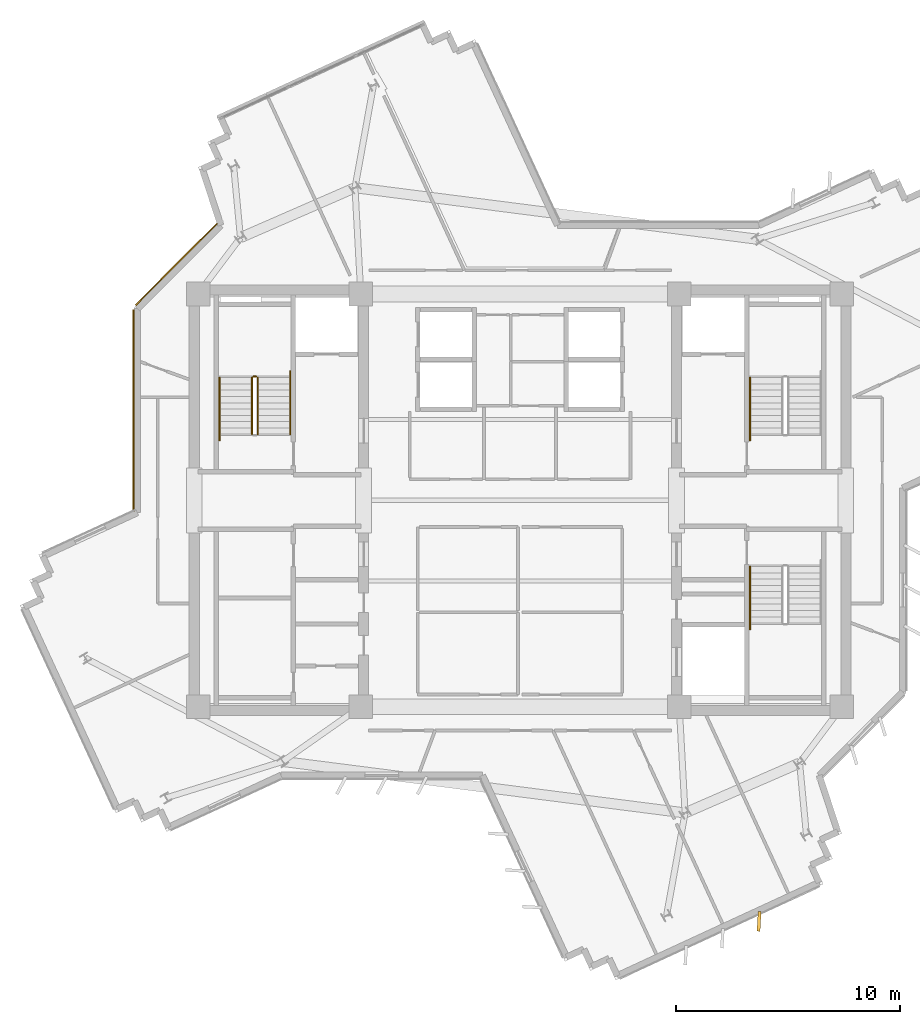
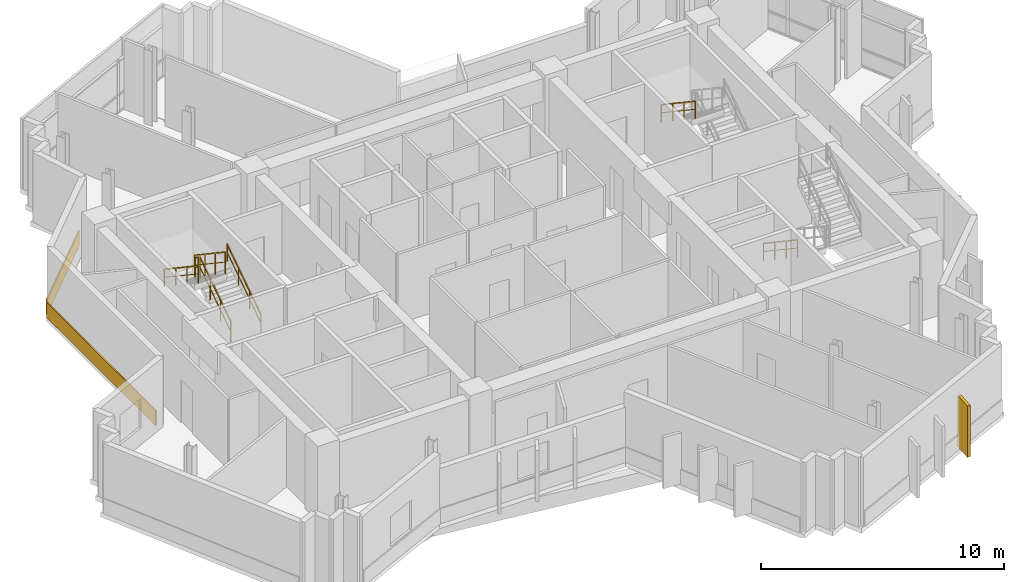
# One storey, part 11 of 12: 7 railings, 3 coverings.
"""IFC4 building model written with IfcOpenShell, lengths in metres."""

from ifc_helpers import new_model, si_unit, direction, frame, origin, origin_2d, place, context, subcontext, project, spatial, rectangle, extrude, source, transform, mapped, material, layer, layer_set, type_object, element, save


model = new_model("IFC4")

# Units and contexts
model_context = context("Model", 3, precision=1e-05, world=origin(), true_north=direction((0.0, 1.0)))
body_context = subcontext(model_context, "Body", "Model", "MODEL_VIEW")
ifc_project = project(units=[si_unit("LENGTHUNIT", "METRE"), si_unit("AREAUNIT", "SQUARE_METRE"), si_unit("VOLUMEUNIT", "CUBIC_METRE"), si_unit("PLANEANGLEUNIT", "RADIAN"), si_unit("MASSUNIT", "GRAM", prefix="KILO")], contexts=[model_context])

# Site, building, storey
site_placement = place(None, origin())
site = spatial("IfcSite", under=ifc_project, at=site_placement, CompositionType="ELEMENT")
building_placement = place(site_placement, origin())
building = spatial("IfcBuilding", under=site, at=building_placement, Name="Zahravan Cultural Tower", CompositionType="ELEMENT")
storey_placement = place(building_placement, frame((0.0, 0.0, 242.85009765625)))
storey = spatial("IfcBuildingStorey", under=building, at=storey_placement, Name="L57", CompositionType="ELEMENT", Elevation=242.85009765625)

# Railings
ifc_material_1 = material(Name="Steel ASTM A572 Grade 50", Category="steel")
railing_type_1 = type_object("IfcRailingType", Name="RL-STAIR-GRD1150", PredefinedType="BALUSTRADE", material=ifc_material_1)
railing_1_placement = place(storey_placement, frame((24.300048828125, 29.949951171875, 0.1875)))
element("IfcRailing", 1, at=railing_1_placement, inside=storey, type_object=railing_type_1, Name="L57 ST-W1 stair guard 1", PredefinedType="BALUSTRADE", context=body_context, shape_type="SweptSolid", body=[
    extrude(rectangle(XDim=0.05, YDim=0.05, at=origin_2d()), frame((0.0, 0.0, 1.0751953125), z_axis=(0.0, 0.830909170722, 0.55640807867), x_axis=(-1.0, 0.0, 0.0)), (0.0, 0.0, 1.0), 3.032958984375),
    extrude(rectangle(XDim=0.032, YDim=0.032, at=origin_2d()), frame((0.0, 0.0, 0.572021484375), z_axis=(0.0, 0.830909170722, 0.55640807867), x_axis=(-1.0, 0.0, 0.0)), (0.0, 0.0, 1.0), 3.032958984375),
    extrude(rectangle(XDim=0.04, YDim=0.04, at=origin_2d()), origin(), (0.0, 0.0, 1.0), 1.10009765625),
    extrude(rectangle(XDim=0.04, YDim=0.04, at=origin_2d()), frame((0.0, 0.840087890625, 0.5625)), (0.0, 0.0, 1.0), 1.10009765625),
    extrude(rectangle(XDim=0.04, YDim=0.04, at=origin_2d()), frame((0.0, 1.679931640625, 1.125)), (0.0, 0.0, 1.0), 1.10009765625),
    extrude(rectangle(XDim=0.04, YDim=0.04, at=origin_2d()), frame((0.0, 2.52001953125, 1.6875)), (0.0, 0.0, 1.0), 1.10009765625),
])
railing_2_placement = place(storey_placement, frame((24.25, 32.52001953125, 1.875)))
element("IfcRailing", 2, at=railing_2_placement, inside=storey, type_object=railing_type_1, Name="L57 ST-W1 stair guard 2", PredefinedType="BALUSTRADE", context=body_context, shape_type="SweptSolid", body=[
    extrude(rectangle(XDim=0.05, YDim=0.05, at=origin_2d()), frame((0.0, 0.0, 1.0751953125), z_axis=(-1.0, 0.0, 0.0), x_axis=(0.0, -1.0, 0.0)), (0.0, 0.0, 1.0), 0.14990234375),
    extrude(rectangle(XDim=0.032, YDim=0.032, at=origin_2d()), frame((0.0, 0.0, 0.572021484375), z_axis=(-1.0, 0.0, 0.0), x_axis=(0.0, -1.0, 0.0)), (0.0, 0.0, 1.0), 0.14990234375),
    extrude(rectangle(XDim=0.04, YDim=0.04, at=origin_2d()), origin(), (0.0, 0.0, 1.0), 1.10009765625),
    extrude(rectangle(XDim=0.04, YDim=0.04, at=origin_2d()), frame((-0.14990234375, 0.0, 0.0)), (0.0, 0.0, 1.0), 1.10009765625),
])
railing_3_placement = place(storey_placement, frame((24.050048828125, 32.469970703125, 2.0625)))
element("IfcRailing", 3, at=railing_3_placement, inside=storey, type_object=railing_type_1, Name="L57 ST-W1 stair guard 3", PredefinedType="BALUSTRADE", context=body_context, shape_type="SweptSolid", body=[
    extrude(rectangle(XDim=0.05, YDim=0.05, at=origin_2d()), frame((0.0, 0.0, 1.0751953125), z_axis=(0.0, -0.830909170722, 0.55640807867), x_axis=(1.0, 0.0, 0.0)), (0.0, 0.0, 1.0), 3.032958984375),
    extrude(rectangle(XDim=0.032, YDim=0.032, at=origin_2d()), frame((0.0, 0.0, 0.572021484375), z_axis=(0.0, -0.830909170722, 0.55640807867), x_axis=(1.0, 0.0, 0.0)), (0.0, 0.0, 1.0), 3.032958984375),
    extrude(rectangle(XDim=0.04, YDim=0.04, at=origin_2d()), origin(), (0.0, 0.0, 1.0), 1.10009765625),
    extrude(rectangle(XDim=0.04, YDim=0.04, at=origin_2d()), frame((0.0, -0.840087890625, 0.5625)), (0.0, 0.0, 1.0), 1.10009765625),
    extrude(rectangle(XDim=0.04, YDim=0.04, at=origin_2d()), frame((0.0, -1.679931640625, 1.125)), (0.0, 0.0, 1.0), 1.10009765625),
    extrude(rectangle(XDim=0.04, YDim=0.04, at=origin_2d()), frame((0.0, -2.52001953125, 1.6875)), (0.0, 0.0, 1.0), 1.10009765625),
])
railing_type_2 = type_object("IfcRailingType", Name="RL-STAIR-HR900", PredefinedType="HANDRAIL", material=ifc_material_1)
railing_4_placement = place(storey_placement, frame((25.75, 29.949951171875, 0.1875)))
element("IfcRailing", 4, at=railing_4_placement, inside=storey, type_object=railing_type_2, Name="L57 ST-W1 stair handrail 1", PredefinedType="HANDRAIL", context=body_context, shape_type="SweptSolid", body=[
    extrude(rectangle(XDim=0.05, YDim=0.05, at=origin_2d()), frame((0.0, 0.0, 0.875), z_axis=(0.0, 0.830911662861, 0.55640435703), x_axis=(-1.0, 0.0, 0.0)), (0.0, 0.0, 1.0), 3.369873046875),
    extrude(rectangle(XDim=0.032, YDim=0.032, at=origin_2d()), frame((0.0, 0.0, 0.468017578125), z_axis=(0.0, 0.830911662861, 0.55640435703), x_axis=(-1.0, 0.0, 0.0)), (0.0, 0.0, 1.0), 3.369873046875),
    extrude(rectangle(XDim=0.04, YDim=0.04, at=origin_2d()), origin(), (0.0, 0.0, 1.0), 0.89990234375),
    extrude(rectangle(XDim=0.04, YDim=0.04, at=origin_2d()), frame((0.0, 0.933349609375, 0.625)), (0.0, 0.0, 1.0), 0.89990234375),
    extrude(rectangle(XDim=0.04, YDim=0.04, at=origin_2d()), frame((0.0, 1.86669921875, 1.25)), (0.0, 0.0, 1.0), 0.89990234375),
    extrude(rectangle(XDim=0.04, YDim=0.04, at=origin_2d()), frame((0.0, 2.800048828125, 1.875)), (0.0, 0.0, 1.0), 0.89990234375),
])
for number, where, name in (
    (5, (22.60009765625, 32.469970703125, 2.0625), "L57 ST-W1 stair handrail 2"),
    (6, (46.25, 32.469970703125, 2.0625), "L57 ST-E1 stair handrail 2"),
    (7, (46.25, 24.050048828125, 0.1875), "L57 ST-E2 stair handrail 1"),
):
    element("IfcRailing", number, at=place(storey_placement, frame(where)), inside=storey, type_object=railing_type_2, Name=name, PredefinedType="HANDRAIL", context=body_context, shape_type="SweptSolid", body=[
        extrude(rectangle(XDim=0.05, YDim=0.05, at=origin_2d()), frame((0.0, 0.0, 0.875), z_axis=(0.0, -0.830911662861, 0.55640435703), x_axis=(1.0, 0.0, 0.0)), (0.0, 0.0, 1.0), 3.369873046875),
        extrude(rectangle(XDim=0.032, YDim=0.032, at=origin_2d()), frame((0.0, 0.0, 0.468017578125), z_axis=(0.0, -0.830911662861, 0.55640435703), x_axis=(1.0, 0.0, 0.0)), (0.0, 0.0, 1.0), 3.369873046875),
        extrude(rectangle(XDim=0.04, YDim=0.04, at=origin_2d()), origin(), (0.0, 0.0, 1.0), 0.89990234375),
        extrude(rectangle(XDim=0.04, YDim=0.04, at=origin_2d()), frame((0.0, -0.933349609375, 0.625)), (0.0, 0.0, 1.0), 0.89990234375),
        extrude(rectangle(XDim=0.04, YDim=0.04, at=origin_2d()), frame((0.0, -1.86669921875, 1.25)), (0.0, 0.0, 1.0), 0.89990234375),
        extrude(rectangle(XDim=0.04, YDim=0.04, at=origin_2d()), frame((0.0, -2.800048828125, 1.875)), (0.0, 0.0, 1.0), 0.89990234375),
    ])

# Coverings
ifc_material_2 = material(Name="Terracotta ceramic cladding", Category="masonry")
ifc_layer = layer(ifc_material_2, 0.06005859375)
ifc_layer_set = layer_set([ifc_layer], Name="Terracotta ceramic cladding")
covering_type = type_object("IfcCoveringType", Name="COV-CLAD-TC60", PredefinedType="CLADDING", material=ifc_layer_set)
shared_shape_1 = source(origin(), body_context, "Body", "SweptSolid", [
    extrude(rectangle(XDim=5.157958984375, YDim=0.06005859375, at=origin_2d()), origin(), (0.0, 0.0, 1.0), 0.760009765625),
])
covering_1_placement = place(storey_placement, frame((20.682373046875, 37.517578125, 0.02001953125), z_axis=(0.0, 0.0, 1.0), x_axis=(0.707106781187, 0.707106781187, 0.0)))
element("IfcCovering", 8, at=covering_1_placement, inside=storey, type_object=covering_type, Name="L57 Terracotta Spandrel Cladding 37", PredefinedType="CLADDING", context=body_context, shape_type="MappedRepresentation", body=[
    mapped(shared_shape_1, transform((0.0, 0.0, 0.0), x_axis=(1.0, 0.0, 0.0), y_axis=(0.0, 1.0, 0.0), z_axis=(0.0, 0.0, 1.0), scale=1.0)),
])
shared_shape_2 = source(origin(), body_context, "Body", "SweptSolid", [
    extrude(rectangle(XDim=0.8798828125, YDim=0.139892578125, at=origin_2d()), origin(), (0.0, 0.0, 1.0), 2.580078125),
])
covering_2_placement = place(storey_placement, frame((46.656494140625, 8.228759765625, 0.0498046875), z_axis=(0.0, 0.0, 1.0), x_axis=(-0.055821504993, -0.998440764182, 0.0)))
element("IfcCovering", 9, at=covering_2_placement, inside=storey, type_object=covering_type, Name="L57 Herringbone Terracotta Fin 09", PredefinedType="CLADDING", context=body_context, shape_type="MappedRepresentation", body=[
    mapped(shared_shape_2, transform((0.0, 0.0, 0.0), x_axis=(1.0, 0.0, 0.0), y_axis=(0.0, 1.0, 0.0), z_axis=(0.0, 0.0, 1.0), scale=1.0)),
])
shared_shape_3 = source(origin(), body_context, "Body", "SweptSolid", [
    extrude(rectangle(XDim=8.98828125, YDim=0.06005859375, at=origin_2d()), origin(), (0.0, 0.0, 1.0), 0.760009765625),
])
covering_3_placement = place(storey_placement, frame((18.77490234375, 30.997802734375, 0.02001953125), z_axis=(0.0, 0.0, 1.0), x_axis=(0.0, 1.0, 0.0)))
element("IfcCovering", 10, at=covering_3_placement, inside=storey, type_object=covering_type, Name="L57 Terracotta Spandrel Cladding 36", PredefinedType="CLADDING", context=body_context, shape_type="MappedRepresentation", body=[
    mapped(shared_shape_3, transform((0.0, 0.0, 0.0), x_axis=(1.0, 0.0, 0.0), y_axis=(0.0, 1.0, 0.0), z_axis=(0.0, 0.0, 1.0), scale=1.0)),
])

save(model, "model.ifc")
